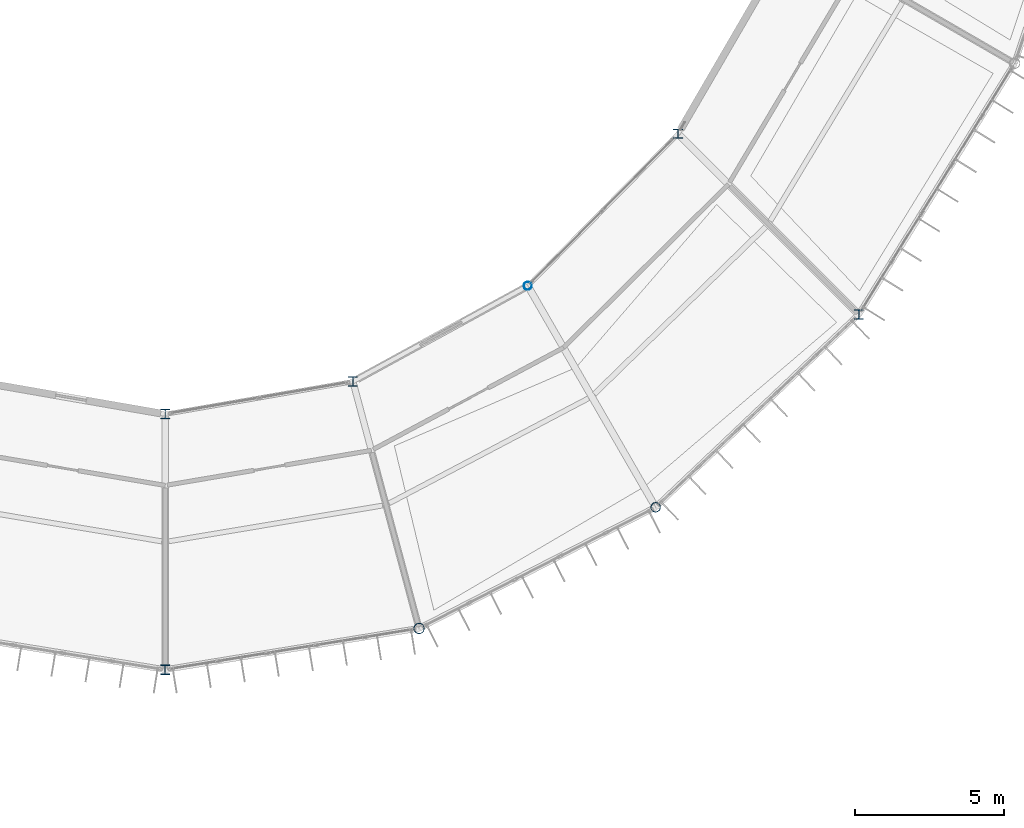
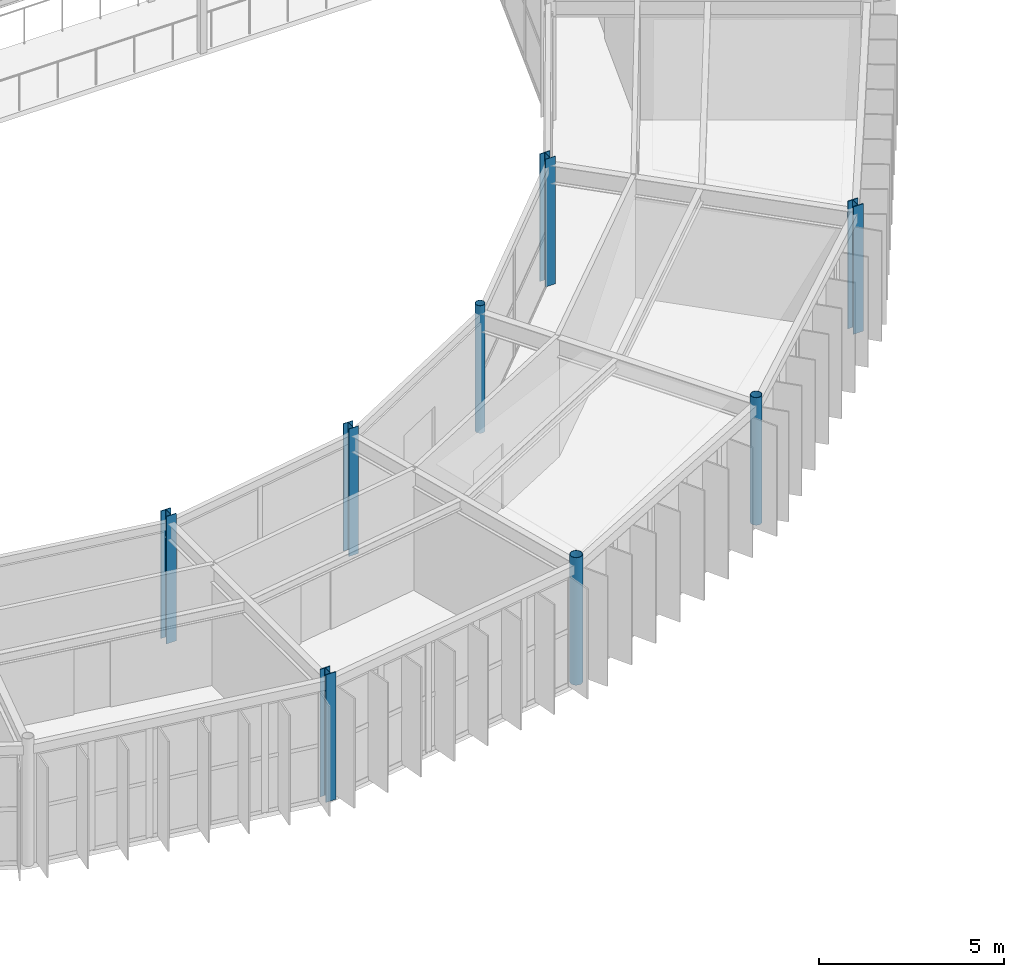
# One storey, part 7 of 148: 8 columns.
"""IFC4 building model written with IfcOpenShell, lengths in metres."""

from ifc_helpers import new_model, si_unit, direction, frame, origin, origin_2d, place, context, subcontext, project, spatial, hollow_circle, i_section, extrude, material, material_profile, profile_set, type_object, element, save


model = new_model("IFC4")

# Units and contexts
model_context = context("Model", 3, precision=1e-05, world=origin(), true_north=direction((0.0, 1.0)))
body_context = subcontext(model_context, "Body", "Model", "MODEL_VIEW")
ifc_project = project(units=[si_unit("LENGTHUNIT", "METRE"), si_unit("AREAUNIT", "SQUARE_METRE"), si_unit("VOLUMEUNIT", "CUBIC_METRE"), si_unit("PLANEANGLEUNIT", "RADIAN"), si_unit("MASSUNIT", "GRAM", prefix="KILO")], contexts=[model_context])

# Site, building, storey
site_placement = place(None, origin())
site = spatial("IfcSite", under=ifc_project, at=site_placement, CompositionType="ELEMENT")
building_placement = place(site_placement, origin())
building = spatial("IfcBuilding", under=site, at=building_placement, Name="Karori Crest Natural Sciences Institute", CompositionType="ELEMENT")
storey_placement = place(building_placement, frame((0.0, 0.0, 4.89990234375)))
storey = spatial("IfcBuildingStorey", under=building, at=storey_placement, Name="L01", CompositionType="ELEMENT", Elevation=4.89990234375)

# Columns
ifc_material_1 = material(Name="Structural steel AS/NZS 3679.1 Grade 350", Category="steel")
ifc_material_profile_1 = material_profile(ifc_material_1, i_section(OverallWidth=0.31103515625, OverallDepth=0.326904296875, WebThickness=0.015625, FlangeThickness=0.02490234375, FilletRadius=0.01708984375, at=origin_2d()), Name="310UC158")
ifc_profile_set_1 = profile_set([ifc_material_profile_1], Name="Structural steel AS/NZS 3679.1 Grade 350")
column_type_1 = type_object("IfcColumnType", Name="CT-04", PredefinedType="COLUMN", material=ifc_profile_set_1)
for number, where, z_axis, x_axis, name in (
    (1, (66.39990234375, 9.10009765625, 0.0), (0.0, 0.0, 1.0), (1.0, 0.0, 0.0), "Column C-0301"),
    (2, (89.734619140625, 21.050048828125, 0.0), (0.0, 0.0, 1.0), (1.0, 0.0, 0.0), "Column C-0349"),
):
    element("IfcColumn", number, at=place(storey_placement, frame(where, z_axis=z_axis, x_axis=x_axis)), inside=storey, type_object=column_type_1, Name=name, PredefinedType="COLUMN", context=body_context, shape_type="SweptSolid", body=[
        extrude(i_section(OverallWidth=0.31103515625, OverallDepth=0.326904296875, WebThickness=0.015625, FlangeThickness=0.02490234375, FilletRadius=0.01708984375, at=origin_2d()), origin(), (0.0, 0.0, 1.0), 4.2001953125),
    ])
ifc_material_profile_2 = material_profile(ifc_material_1, i_section(OverallWidth=0.306884765625, OverallDepth=0.31494140625, WebThickness=0.011962890625, FlangeThickness=0.018798828125, FilletRadius=0.01708984375, at=origin_2d()), Name="310UC118")
ifc_profile_set_2 = profile_set([ifc_material_profile_2], Name="Structural steel AS/NZS 3679.1 Grade 350")
column_type_2 = type_object("IfcColumnType", Name="CT-05", PredefinedType="COLUMN", material=ifc_profile_set_2)
for number, where, z_axis, x_axis, name in (
    (3, (66.39990234375, 17.699951171875, 0.0), (0.0, 0.0, 1.0), (1.0, 0.0, 0.0), "Column C-0302"),
    (4, (83.6533203125, 27.131103515625, 0.0), (0.0, 0.0, 1.0), (1.0, 0.0, 0.0), "Column C-0350"),
):
    element("IfcColumn", number, at=place(storey_placement, frame(where, z_axis=z_axis, x_axis=x_axis)), inside=storey, type_object=column_type_2, Name=name, PredefinedType="COLUMN", context=body_context, shape_type="SweptSolid", body=[
        extrude(i_section(OverallWidth=0.306884765625, OverallDepth=0.31494140625, WebThickness=0.011962890625, FlangeThickness=0.018798828125, FilletRadius=0.01708984375, at=origin_2d()), origin(), (0.0, 0.0, 1.0), 4.2001953125),
    ])
ifc_material_2 = material(Name="Hollow structural steel AS/NZS 1163 Grade C350", Category="steel")
ifc_material_profile_3 = material_profile(ifc_material_2, hollow_circle(Radius=0.177734375, WallThickness=0.0126953125, at=origin_2d()), Name="CHS355.6x12.7")
ifc_profile_set_3 = profile_set([ifc_material_profile_3], Name="Hollow structural steel AS/NZS 1163 Grade C350")
column_type_3 = type_object("IfcColumnType", Name="CT-14", PredefinedType="COLUMN", material=ifc_profile_set_3)
column_1_placement = place(storey_placement, frame((74.94091796875, 10.490234375, 0.0), z_axis=(0.0, 0.0, 1.0), x_axis=(1.0, 0.0, 0.0)))
element("IfcColumn", 5, at=column_1_placement, inside=storey, type_object=column_type_3, Name="Column C-0317", PredefinedType="COLUMN", context=body_context, shape_type="SweptSolid", body=[
    extrude(hollow_circle(Radius=0.177734375, WallThickness=0.0126953125, at=origin_2d()), origin(), (0.0, 0.0, 1.0), 4.2001953125),
])
ifc_material_profile_4 = material_profile(ifc_material_2, hollow_circle(Radius=0.161865234375, WallThickness=0.0126953125, at=origin_2d()), Name="CHS323.9x12.7")
ifc_profile_set_4 = profile_set([ifc_material_profile_4], Name="Hollow structural steel AS/NZS 1163 Grade C350")
column_type_4 = type_object("IfcColumnType", Name="CT-15", PredefinedType="COLUMN", material=ifc_profile_set_4)
column_2_placement = place(storey_placement, frame((82.89990234375, 14.566162109375, 0.0), z_axis=(0.0, 0.0, 1.0), x_axis=(1.0, 0.0, 0.0)))
element("IfcColumn", 6, at=column_2_placement, inside=storey, type_object=column_type_4, Name="Column C-0333", PredefinedType="COLUMN", context=body_context, shape_type="SweptSolid", body=[
    extrude(hollow_circle(Radius=0.161865234375, WallThickness=0.0126953125, at=origin_2d()), origin(), (0.0, 0.0, 1.0), 4.2001953125),
])
ifc_material_profile_5 = material_profile(ifc_material_2, hollow_circle(Radius=0.136474609375, WallThickness=0.00927734375, at=origin_2d()), Name="CHS273.0x9.3")
ifc_profile_set_5 = profile_set([ifc_material_profile_5], Name="Hollow structural steel AS/NZS 1163 Grade C350")
column_type_5 = type_object("IfcColumnType", Name="CT-16", PredefinedType="COLUMN", material=ifc_profile_set_5)
column_3_placement = place(storey_placement, frame((78.60009765625, 22.013916015625, 0.0), z_axis=(0.0, 0.0, 1.0), x_axis=(1.0, 0.0, 0.0)))
element("IfcColumn", 7, at=column_3_placement, inside=storey, type_object=column_type_5, Name="Column C-0334", PredefinedType="COLUMN", context=body_context, shape_type="SweptSolid", body=[
    extrude(hollow_circle(Radius=0.136474609375, WallThickness=0.00927734375, at=origin_2d()), origin(), (0.0, 0.0, 1.0), 4.2001953125),
])
ifc_material_profile_6 = material_profile(ifc_material_1, i_section(OverallWidth=0.304931640625, OverallDepth=0.30810546875, WebThickness=0.010009765625, FlangeThickness=0.015380859375, FilletRadius=0.01708984375, at=origin_2d()), Name="310UC96.8")
ifc_profile_set_6 = profile_set([ifc_material_profile_6], Name="Structural steel AS/NZS 3679.1 Grade 350")
column_type_6 = type_object("IfcColumnType", Name="CT-25", PredefinedType="COLUMN", material=ifc_profile_set_6)
column_4_placement = place(storey_placement, frame((72.715087890625, 18.797119140625, 0.0), z_axis=(0.0, 0.0, 1.0), x_axis=(1.0, 0.0, 0.0)))
element("IfcColumn", 8, at=column_4_placement, inside=storey, type_object=column_type_6, Name="Column C-0318", PredefinedType="COLUMN", context=body_context, shape_type="SweptSolid", body=[
    extrude(i_section(OverallWidth=0.304931640625, OverallDepth=0.30810546875, WebThickness=0.010009765625, FlangeThickness=0.015380859375, FilletRadius=0.01708984375, at=origin_2d()), origin(), (0.0, 0.0, 1.0), 4.2001953125),
])

save(model, "model.ifc")
